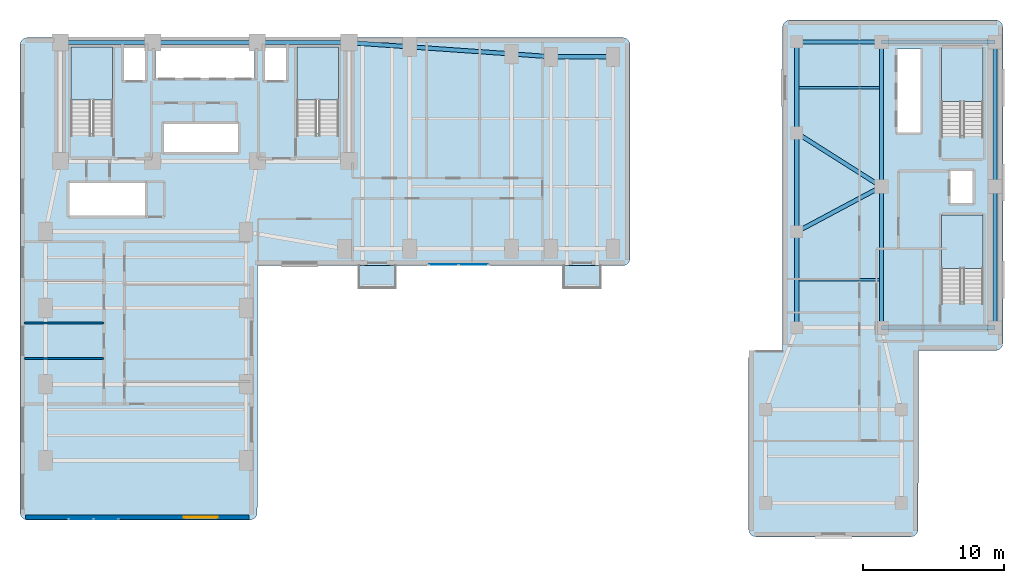
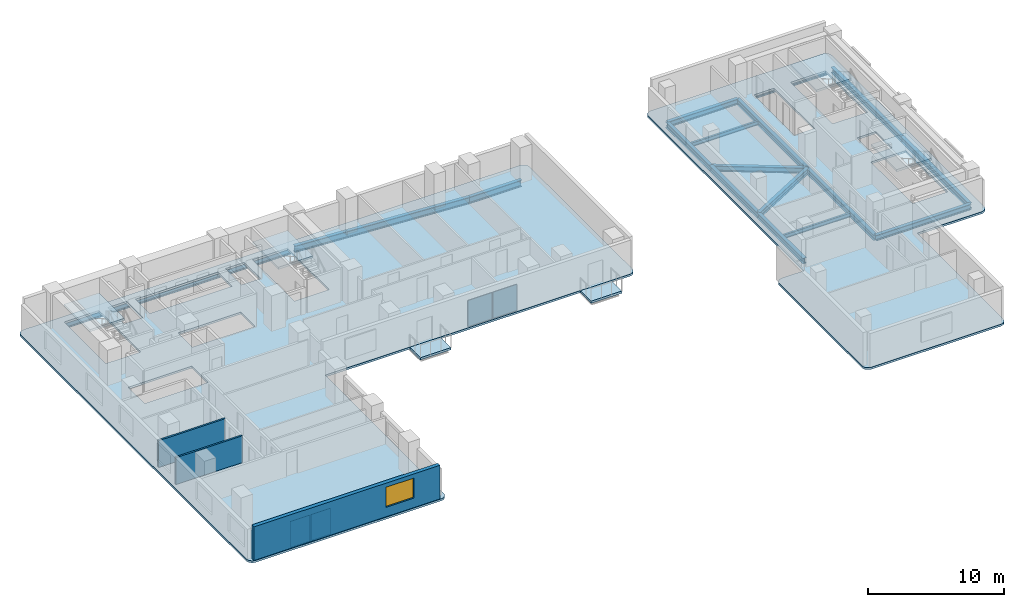
# One storey, part 7 of 14: 21 beams, 8 slabs, 4 plates, 3 walls, 1 window, 1 opening, 6 elements without a shape of their own.
"""IFC4 building model written with IfcOpenShell, lengths in metres."""

from ifc_helpers import new_model, si_unit, direction, frame, frame_2d, origin, origin_2d, place, context, subcontext, project, spatial, polyline, rectangle, i_section, outline, extrude, material, layer, layer_set, material_profile, profile_set, type_object, element, fill, aggregate, save


model = new_model("IFC4")

# Units and contexts
model_context = context("Model", 3, precision=1e-05, world=origin(), true_north=direction((0.0, 1.0)))
body_context = subcontext(model_context, "Body", "Model", "MODEL_VIEW")
ifc_project = project(units=[si_unit("LENGTHUNIT", "METRE"), si_unit("AREAUNIT", "SQUARE_METRE"), si_unit("VOLUMEUNIT", "CUBIC_METRE"), si_unit("PLANEANGLEUNIT", "RADIAN"), si_unit("MASSUNIT", "GRAM", prefix="KILO")], contexts=[model_context])

# Site, building, storey
site_placement = place(None, origin())
site = spatial("IfcSite", under=ifc_project, at=site_placement, CompositionType="ELEMENT")
building_placement = place(site_placement, origin())
building = spatial("IfcBuilding", under=site, at=building_placement, Name="Kuzgunbayir Cultural Tower", CompositionType="ELEMENT")
storey_placement = place(building_placement, frame((0.0, 0.0, 62.800048828125)))
storey = spatial("IfcBuildingStorey", under=building, at=storey_placement, Name="L17", CompositionType="ELEMENT", Elevation=62.800048828125)

# Beams
ifc_material_1 = material(Name="Steel S355J2", Category="steel")
ifc_material_profile_1 = material_profile(ifc_material_1, i_section(OverallWidth=0.300048828125, OverallDepth=0.5, WebThickness=0.014404296875, FlangeThickness=0.028076171875, FilletRadius=0.027099609375, at=origin_2d()), Name="HEB 500")
ifc_profile_set_1 = profile_set([ifc_material_profile_1], Name="Steel S355J2")
beam_type_1 = type_object("IfcBeamType", Name="BM-EXT-HEB500", PredefinedType="BEAM", material=ifc_profile_set_1)
beam_1_placement = place(storey_placement, frame((58.60009765625, 22.0, -0.429931640625), z_axis=(0.0, 1.0, 0.0), x_axis=(-1.0, 0.0, 0.0)))
element("IfcBeam", 1, at=beam_1_placement, inside=storey, type_object=beam_type_1, Name="L17 Companion West Girder", PredefinedType="BEAM", context=body_context, shape_type="SweptSolid", body=[
    extrude(i_section(OverallWidth=0.300048828125, OverallDepth=0.5, WebThickness=0.014404296875, FlangeThickness=0.028076171875, FilletRadius=0.027099609375, at=origin_2d()), origin(), (0.0, 0.0, 1.0), 6.800048828125),
])
beam_2_placement = place(storey_placement, frame((58.60009765625, 28.800048828125, -0.429931640625), z_axis=(0.0, 1.0, 0.0), x_axis=(-1.0, 0.0, 0.0)))
element("IfcBeam", 2, at=beam_2_placement, inside=storey, type_object=beam_type_1, Name="L17 Companion West Girder", PredefinedType="BEAM", context=body_context, shape_type="SweptSolid", body=[
    extrude(i_section(OverallWidth=0.300048828125, OverallDepth=0.5, WebThickness=0.014404296875, FlangeThickness=0.028076171875, FilletRadius=0.027099609375, at=origin_2d()), origin(), (0.0, 0.0, 1.0), 7.0),
])
beam_3_placement = place(storey_placement, frame((58.60009765625, 35.800048828125, -0.429931640625), z_axis=(0.0, 1.0, 0.0), x_axis=(-1.0, 0.0, 0.0)))
element("IfcBeam", 3, at=beam_3_placement, inside=storey, type_object=beam_type_1, Name="L17 Companion West Girder", PredefinedType="BEAM", context=body_context, shape_type="SweptSolid", body=[
    extrude(i_section(OverallWidth=0.300048828125, OverallDepth=0.5, WebThickness=0.014404296875, FlangeThickness=0.028076171875, FilletRadius=0.027099609375, at=origin_2d()), origin(), (0.0, 0.0, 1.0), 6.449951171875),
])
ifc_material_profile_2 = material_profile(ifc_material_1, i_section(OverallWidth=0.300048828125, OverallDepth=0.60009765625, WebThickness=0.015380859375, FlangeThickness=0.030029296875, FilletRadius=0.027099609375, at=origin_2d()), Name="HEB 600")
ifc_profile_set_2 = profile_set([ifc_material_profile_2], Name="Steel S355J2")
beam_type_2 = type_object("IfcBeamType", Name="BM-EXT-HEB600", PredefinedType="BEAM", material=ifc_profile_set_2)
beam_4_placement = place(storey_placement, frame((26.89990234375, 42.199951171875, -0.47998046875), z_axis=(0.997574369175, -0.069608749203, 0.0), x_axis=(0.069608749203, 0.997574369175, 0.0)))
element("IfcBeam", 4, at=beam_4_placement, inside=storey, type_object=beam_type_2, Name="L17 Wing B North Girder 1", PredefinedType="BEAM", context=body_context, shape_type="SweptSolid", body=[
    extrude(i_section(OverallWidth=0.300048828125, OverallDepth=0.60009765625, WebThickness=0.015380859375, FlangeThickness=0.030029296875, FilletRadius=0.027099609375, at=origin_2d()), origin(), (0.0, 0.0, 1.0), 4.310546875),
])
beam_5_placement = place(storey_placement, frame((31.199951171875, 41.89990234375, -0.47998046875), z_axis=(0.997597388498, -0.069278066245, 0.0), x_axis=(0.069278066245, 0.997597388498, 0.0)))
element("IfcBeam", 5, at=beam_5_placement, inside=storey, type_object=beam_type_2, Name="L17 Wing B North Girder 2", PredefinedType="BEAM", context=body_context, shape_type="SweptSolid", body=[
    extrude(i_section(OverallWidth=0.300048828125, OverallDepth=0.60009765625, WebThickness=0.015380859375, FlangeThickness=0.030029296875, FilletRadius=0.027099609375, at=origin_2d()), origin(), (0.0, 0.0, 1.0), 7.21728515625),
])
beam_6_placement = place(storey_placement, frame((38.39990234375, 41.39990234375, -0.47998046875), z_axis=(0.997460024076, -0.071228508128, 0.0), x_axis=(0.071228508128, 0.997460024076, 0.0)))
element("IfcBeam", 6, at=beam_6_placement, inside=storey, type_object=beam_type_2, Name="L17 Wing B North Girder 3", PredefinedType="BEAM", context=body_context, shape_type="SweptSolid", body=[
    extrude(i_section(OverallWidth=0.300048828125, OverallDepth=0.60009765625, WebThickness=0.015380859375, FlangeThickness=0.030029296875, FilletRadius=0.027099609375, at=origin_2d()), origin(), (0.0, 0.0, 1.0), 2.80712890625),
])
beam_7_placement = place(storey_placement, frame((41.199951171875, 41.199951171875, -0.47998046875), z_axis=(1.0, 0.0, 0.0), x_axis=(0.0, 1.0, 0.0)))
element("IfcBeam", 7, at=beam_7_placement, inside=storey, type_object=beam_type_2, Name="L17 Wing B North Girder 4", PredefinedType="BEAM", context=body_context, shape_type="SweptSolid", body=[
    extrude(i_section(OverallWidth=0.300048828125, OverallDepth=0.60009765625, WebThickness=0.015380859375, FlangeThickness=0.030029296875, FilletRadius=0.027099609375, at=origin_2d()), origin(), (0.0, 0.0, 1.0), 4.400146484375),
])
ifc_material_profile_3 = material_profile(ifc_material_1, i_section(OverallWidth=0.300048828125, OverallDepth=0.5, WebThickness=0.014404296875, FlangeThickness=0.028076171875, FilletRadius=0.027099609375, at=origin_2d()), Name="HEB 500")
ifc_profile_set_3 = profile_set([ifc_material_profile_3], Name="Steel S355J2")
beam_type_3 = type_object("IfcBeamType", Name="BM-GIR-HEB500", PredefinedType="BEAM", material=ifc_profile_set_3)
beam_8_placement = place(storey_placement, frame((58.60009765625, 28.800048828125, -0.429931640625), z_axis=(0.882355922736, 0.470582644828, 0.0), x_axis=(-0.470582644828, 0.882355922736, 0.0)))
element("IfcBeam", 8, at=beam_8_placement, inside=storey, type_object=beam_type_3, Name="L17 Companion Transverse Girder 2", PredefinedType="BEAM", context=body_context, shape_type="SweptSolid", body=[
    extrude(i_section(OverallWidth=0.300048828125, OverallDepth=0.5, WebThickness=0.014404296875, FlangeThickness=0.028076171875, FilletRadius=0.027099609375, at=origin_2d()), origin(), (0.0, 0.0, 1.0), 6.800048828125),
])
beam_9_placement = place(storey_placement, frame((58.60009765625, 35.800048828125, -0.429931640625), z_axis=(0.844815967829, -0.535056988088, 0.0), x_axis=(0.535056988088, 0.844815967829, 0.0)))
element("IfcBeam", 9, at=beam_9_placement, inside=storey, type_object=beam_type_3, Name="L17 Companion Transverse Girder 3", PredefinedType="BEAM", context=body_context, shape_type="SweptSolid", body=[
    extrude(i_section(OverallWidth=0.300048828125, OverallDepth=0.5, WebThickness=0.014404296875, FlangeThickness=0.028076171875, FilletRadius=0.027099609375, at=origin_2d()), origin(), (0.0, 0.0, 1.0), 7.10205078125),
])
beam_10_placement = place(storey_placement, frame((58.60009765625, 42.25, -0.429931640625), z_axis=(1.0, 0.0, 0.0), x_axis=(0.0, 1.0, 0.0)))
element("IfcBeam", 10, at=beam_10_placement, inside=storey, type_object=beam_type_3, Name="L17 Companion Transverse Girder 4", PredefinedType="BEAM", context=body_context, shape_type="SweptSolid", body=[
    extrude(i_section(OverallWidth=0.300048828125, OverallDepth=0.5, WebThickness=0.014404296875, FlangeThickness=0.028076171875, FilletRadius=0.027099609375, at=origin_2d()), origin(), (0.0, 0.0, 1.0), 6.0),
])
beam_11_placement = place(storey_placement, frame((64.60009765625, 22.0, -0.429931640625), z_axis=(0.0, 1.0, 0.0), x_axis=(-1.0, 0.0, 0.0)))
element("IfcBeam", 11, at=beam_11_placement, inside=storey, type_object=beam_type_3, Name="L17 Companion Core West Girder 1", PredefinedType="BEAM", context=body_context, shape_type="SweptSolid", body=[
    extrude(i_section(OverallWidth=0.300048828125, OverallDepth=0.5, WebThickness=0.014404296875, FlangeThickness=0.028076171875, FilletRadius=0.027099609375, at=origin_2d()), origin(), (0.0, 0.0, 1.0), 10.0),
])
beam_12_placement = place(storey_placement, frame((64.60009765625, 32.0, -0.429931640625), z_axis=(0.0, 1.0, 0.0), x_axis=(-1.0, 0.0, 0.0)))
element("IfcBeam", 12, at=beam_12_placement, inside=storey, type_object=beam_type_3, Name="L17 Companion Core West Girder 2", PredefinedType="BEAM", context=body_context, shape_type="SweptSolid", body=[
    extrude(i_section(OverallWidth=0.300048828125, OverallDepth=0.5, WebThickness=0.014404296875, FlangeThickness=0.028076171875, FilletRadius=0.027099609375, at=origin_2d()), origin(), (0.0, 0.0, 1.0), 10.25),
])
beam_13_placement = place(storey_placement, frame((72.64990234375, 22.0, -0.429931640625), z_axis=(0.0, 1.0, 0.0), x_axis=(-1.0, 0.0, 0.0)))
element("IfcBeam", 13, at=beam_13_placement, inside=storey, type_object=beam_type_3, Name="L17 Companion Core East Girder 1", PredefinedType="BEAM", context=body_context, shape_type="SweptSolid", body=[
    extrude(i_section(OverallWidth=0.300048828125, OverallDepth=0.5, WebThickness=0.014404296875, FlangeThickness=0.028076171875, FilletRadius=0.027099609375, at=origin_2d()), origin(), (0.0, 0.0, 1.0), 10.0),
])
beam_14_placement = place(storey_placement, frame((72.64990234375, 32.0, -0.429931640625), z_axis=(0.0, 1.0, 0.0), x_axis=(-1.0, 0.0, 0.0)))
element("IfcBeam", 14, at=beam_14_placement, inside=storey, type_object=beam_type_3, Name="L17 Companion Core East Girder 2", PredefinedType="BEAM", context=body_context, shape_type="SweptSolid", body=[
    extrude(i_section(OverallWidth=0.300048828125, OverallDepth=0.5, WebThickness=0.014404296875, FlangeThickness=0.028076171875, FilletRadius=0.027099609375, at=origin_2d()), origin(), (0.0, 0.0, 1.0), 10.25),
])
for number, where, z_axis, x_axis, name in (
    (15, (64.60009765625, 22.0, -0.429931640625), (1.0, 0.0, 0.0), (0.0, 1.0, 0.0), "L17 Companion Core South Girder"),
    (16, (64.60009765625, 42.25, -0.429931640625), (1.0, 0.0, 0.0), (0.0, 1.0, 0.0), "L17 Companion Core North Girder"),
):
    element("IfcBeam", number, at=place(storey_placement, frame(where, z_axis=z_axis, x_axis=x_axis)), inside=storey, type_object=beam_type_3, Name=name, PredefinedType="BEAM", context=body_context, shape_type="SweptSolid", body=[
        extrude(i_section(OverallWidth=0.300048828125, OverallDepth=0.5, WebThickness=0.014404296875, FlangeThickness=0.028076171875, FilletRadius=0.027099609375, at=origin_2d()), origin(), (0.0, 0.0, 1.0), 8.0498046875),
    ])
ifc_material_profile_4 = material_profile(ifc_material_1, i_section(OverallWidth=0.300048828125, OverallDepth=0.60009765625, WebThickness=0.015380859375, FlangeThickness=0.030029296875, FilletRadius=0.027099609375, at=origin_2d()), Name="HEB 600")
ifc_profile_set_4 = profile_set([ifc_material_profile_4], Name="Steel S355J2")
beam_type_4 = type_object("IfcBeamType", Name="BM-GIR-HEB600", PredefinedType="BEAM", material=ifc_profile_set_4)
beam_15_placement = place(storey_placement, frame((6.449951171875, 42.199951171875, -0.47998046875), z_axis=(1.0, 0.0, 0.0), x_axis=(0.0, 1.0, 0.0)))
element("IfcBeam", 17, at=beam_15_placement, inside=storey, type_object=beam_type_4, Name="L17 Core North Girder 1", PredefinedType="BEAM", context=body_context, shape_type="SweptSolid", body=[
    extrude(i_section(OverallWidth=0.300048828125, OverallDepth=0.60009765625, WebThickness=0.015380859375, FlangeThickness=0.030029296875, FilletRadius=0.027099609375, at=origin_2d()), origin(), (0.0, 0.0, 1.0), 6.550048828125),
])
beam_16_placement = place(storey_placement, frame((13.0, 42.199951171875, -0.47998046875), z_axis=(1.0, 0.0, 0.0), x_axis=(0.0, 1.0, 0.0)))
element("IfcBeam", 18, at=beam_16_placement, inside=storey, type_object=beam_type_4, Name="L17 Core North Girder 2", PredefinedType="BEAM", context=body_context, shape_type="SweptSolid", body=[
    extrude(i_section(OverallWidth=0.300048828125, OverallDepth=0.60009765625, WebThickness=0.015380859375, FlangeThickness=0.030029296875, FilletRadius=0.027099609375, at=origin_2d()), origin(), (0.0, 0.0, 1.0), 7.39990234375),
])
beam_17_placement = place(storey_placement, frame((20.39990234375, 42.199951171875, -0.47998046875), z_axis=(1.0, 0.0, 0.0), x_axis=(0.0, 1.0, 0.0)))
element("IfcBeam", 19, at=beam_17_placement, inside=storey, type_object=beam_type_4, Name="L17 Core North Girder 3", PredefinedType="BEAM", context=body_context, shape_type="SweptSolid", body=[
    extrude(i_section(OverallWidth=0.300048828125, OverallDepth=0.60009765625, WebThickness=0.015380859375, FlangeThickness=0.030029296875, FilletRadius=0.027099609375, at=origin_2d()), origin(), (0.0, 0.0, 1.0), 6.5),
])
ifc_material_profile_5 = material_profile(ifc_material_1, i_section(OverallWidth=0.169921875, OverallDepth=0.360107421875, WebThickness=0.008056640625, FlangeThickness=0.0126953125, FilletRadius=0.01806640625, at=origin_2d()), Name="IPE 360")
ifc_profile_set_5 = profile_set([ifc_material_profile_5], Name="Steel S355J2")
beam_type_5 = type_object("IfcBeamType", Name="BM-JST-IPE360", PredefinedType="JOIST", material=ifc_profile_set_5)
for number, where, z_axis, x_axis, name in (
    (20, (58.75, 25.39990234375, -0.360107421875), (1.0, 0.0, 0.0), (0.0, 1.0, 0.0), "L17 Companion Joist"),
    (21, (58.75, 39.0, -0.360107421875), (1.0, 0.0, 0.0), (0.0, 1.0, 0.0), "L17 Companion Joist"),
):
    element("IfcBeam", number, at=place(storey_placement, frame(where, z_axis=z_axis, x_axis=x_axis)), inside=storey, type_object=beam_type_5, Name=name, PredefinedType="JOIST", context=body_context, shape_type="SweptSolid", body=[
        extrude(i_section(OverallWidth=0.169921875, OverallDepth=0.360107421875, WebThickness=0.008056640625, FlangeThickness=0.0126953125, FilletRadius=0.01806640625, at=origin_2d()), origin(), (0.0, 0.0, 1.0), 5.699951171875),
    ])

# Curtain wall, plates
ifc_material_2 = material(Name="Anodised Aluminium Framing", Category="aluminium")
curtain_wall_type = type_object("IfcCurtainWallType", Name="CW03-T1-OFFICE", PredefinedType="NOTDEFINED", material=ifc_material_2)
curtain_wall_1_placement = place(storey_placement, origin())
curtain_wall_1 = element("IfcCurtainWall", 22, at=curtain_wall_1_placement, inside=storey, type_object=curtain_wall_type, Name="L17 Wing A South Feature Curtain Wall", PredefinedType="NOTDEFINED")
ifc_material_3 = material(Name="Solar-Control Triple Glazing", Category="glass")
ifc_layer_1 = layer(ifc_material_3, 0.035888671875)
ifc_layer_set_1 = layer_set([ifc_layer_1], Name="Solar-Control Triple Glazing")
plate_type = type_object("IfcPlateType", Name="PLT-CW-GLASS-36", PredefinedType="CURTAIN_PANEL", material=ifc_layer_set_1)
plate_1_placement = place(storey_placement, frame((7.918701171875, 8.47998046875, 0.059814453125), z_axis=(0.0, 0.0, 1.0), x_axis=(1.0, 0.0, 0.0)))
plate_1 = element("IfcPlate", 23, at=plate_1_placement, type_object=plate_type, Name="CW03 panel 1.1", PredefinedType="CURTAIN_PANEL", context=body_context, shape_type="SweptSolid", body=[
    extrude(rectangle(XDim=1.6875, YDim=0.035888671875, at=origin_2d()), origin(), (0.0, 0.0, 1.0), 2.35009765625),
])
plate_2_placement = place(storey_placement, frame((9.68115234375, 8.47998046875, 0.059814453125), z_axis=(0.0, 0.0, 1.0), x_axis=(1.0, 0.0, 0.0)))
plate_2 = element("IfcPlate", 24, at=plate_2_placement, type_object=plate_type, Name="CW03 panel 2.1", PredefinedType="CURTAIN_PANEL", context=body_context, shape_type="SweptSolid", body=[
    extrude(rectangle(XDim=1.6875, YDim=0.035888671875, at=origin_2d()), origin(), (0.0, 0.0, 1.0), 2.35009765625),
])
aggregate(curtain_wall_1, [plate_1, plate_2])

curtain_wall_2_placement = place(storey_placement, origin())
curtain_wall_2 = element("IfcCurtainWall", 25, at=curtain_wall_2_placement, inside=storey, type_object=curtain_wall_type, Name="L17 Wing B South Feature Curtain Wall", PredefinedType="NOTDEFINED")
plate_3_placement = place(storey_placement, frame((33.59375, 26.47998046875, 0.059814453125), z_axis=(0.0, 0.0, 1.0), x_axis=(1.0, 0.0, 0.0)))
plate_3 = element("IfcPlate", 26, at=plate_3_placement, type_object=plate_type, Name="CW03 panel 1.1", PredefinedType="CURTAIN_PANEL", context=body_context, shape_type="SweptSolid", body=[
    extrude(rectangle(XDim=2.03759765625, YDim=0.035888671875, at=origin_2d()), origin(), (0.0, 0.0, 1.0), 2.35009765625),
])
plate_4_placement = place(storey_placement, frame((35.706298828125, 26.47998046875, 0.059814453125), z_axis=(0.0, 0.0, 1.0), x_axis=(1.0, 0.0, 0.0)))
plate_4 = element("IfcPlate", 27, at=plate_4_placement, type_object=plate_type, Name="CW03 panel 2.1", PredefinedType="CURTAIN_PANEL", context=body_context, shape_type="SweptSolid", body=[
    extrude(rectangle(XDim=2.03759765625, YDim=0.035888671875, at=origin_2d()), origin(), (0.0, 0.0, 1.0), 2.35009765625),
])
aggregate(curtain_wall_2, [plate_3, plate_4])

# Slabs
ifc_material_4 = material(Name="Concrete C40/50", Category="concrete")
ifc_layer_2 = layer(ifc_material_4, 0.199951171875)
ifc_layer_set_2 = layer_set([ifc_layer_2], Name="Concrete C40/50")
slab_type_1 = type_object("IfcSlabType", Name="SLB-BAL-STONE", PredefinedType="FLOOR", material=ifc_layer_set_2)
slab_1_placement = place(storey_placement, frame((0.0, 0.0, -0.199951171875)))
element("IfcSlab", 28, at=slab_1_placement, inside=storey, type_object=slab_type_1, Name="L17 Projecting Limestone Balcony BAL-L17-WB1", PredefinedType="FLOOR", context=body_context, shape_type="SweptSolid", body=[
    extrude(outline(polyline([(27.60009765625, 24.840087890625), (30.199951171875, 24.840087890625), (30.199951171875, 26.39990234375), (27.60009765625, 26.39990234375), (27.60009765625, 24.840087890625)])), origin(), (0.0, 0.0, 1.0), 0.199951171875),
])
slab_2_placement = place(storey_placement, frame((0.0, 0.0, -0.199951171875)))
element("IfcSlab", 29, at=slab_2_placement, inside=storey, type_object=slab_type_1, Name="L17 Projecting Limestone Balcony BAL-L17-WB3", PredefinedType="FLOOR", context=body_context, shape_type="SweptSolid", body=[
    extrude(outline(polyline([(42.10009765625, 24.840087890625), (44.699951171875, 24.840087890625), (44.699951171875, 26.39990234375), (42.10009765625, 26.39990234375), (42.10009765625, 24.840087890625)])), origin(), (0.0, 0.0, 1.0), 0.199951171875),
])

# Stair, slab
stair_type = type_object("IfcStairType", Name="STR-EXIT-CORE", PredefinedType="HALF_TURN_STAIR", material=ifc_material_4)
stair_1_placement = place(storey_placement, origin())
stair_1 = element("IfcStair", 30, at=stair_1_placement, inside=storey, type_object=stair_type, Name="L17 ST-1", PredefinedType="HALF_TURN_STAIR")
ifc_layer_3 = layer(ifc_material_4, 0.179931640625)
ifc_layer_set_3 = layer_set([ifc_layer_3], Name="Concrete C40/50")
slab_type_2 = type_object("IfcSlabType", Name="SLB-LANDING-180", PredefinedType="LANDING", material=ifc_layer_set_3)
slab_3_placement = place(storey_placement, frame((0.0, 0.0, 1.39990234375)))
slab_3 = element("IfcSlab", 31, at=slab_3_placement, type_object=slab_type_2, Name="ST-1 landing 1", PredefinedType="LANDING", context=body_context, shape_type="SweptSolid", body=[
    extrude(outline(polyline([(10.159912109375, 38.1201171875), (10.159912109375, 41.89990234375), (7.199951171875, 41.89990234375), (7.199951171875, 38.1201171875), (10.159912109375, 38.1201171875)])), origin(), (0.0, 0.0, 1.0), 0.199951171875),
])
aggregate(stair_1, [slab_3])

stair_2_placement = place(storey_placement, origin())
stair_2 = element("IfcStair", 32, at=stair_2_placement, inside=storey, type_object=stair_type, Name="L17 ST-2", PredefinedType="HALF_TURN_STAIR")
slab_4_placement = place(storey_placement, frame((0.0, 0.0, 1.39990234375)))
slab_4 = element("IfcSlab", 33, at=slab_4_placement, type_object=slab_type_2, Name="ST-2 landing 1", PredefinedType="LANDING", context=body_context, shape_type="SweptSolid", body=[
    extrude(outline(polyline([(26.159912109375, 38.1201171875), (26.159912109375, 41.89990234375), (23.199951171875, 41.89990234375), (23.199951171875, 38.1201171875), (26.159912109375, 38.1201171875)])), origin(), (0.0, 0.0, 1.0), 0.199951171875),
])
aggregate(stair_2, [slab_4])

stair_3_placement = place(storey_placement, origin())
stair_3 = element("IfcStair", 34, at=stair_3_placement, inside=storey, type_object=stair_type, Name="L17 ST-3", PredefinedType="HALF_TURN_STAIR")
slab_5_placement = place(storey_placement, frame((0.0, 0.0, 1.39990234375)))
slab_5 = element("IfcSlab", 35, at=slab_5_placement, type_object=slab_type_2, Name="ST-3 landing 1", PredefinedType="LANDING", context=body_context, shape_type="SweptSolid", body=[
    extrude(outline(polyline([(71.800048828125, 26.219970703125), (71.800048828125, 30.0), (68.840087890625, 30.0), (68.840087890625, 26.219970703125), (71.800048828125, 26.219970703125)])), origin(), (0.0, 0.0, 1.0), 0.199951171875),
])
aggregate(stair_3, [slab_5])

stair_4_placement = place(storey_placement, origin())
stair_4 = element("IfcStair", 36, at=stair_4_placement, inside=storey, type_object=stair_type, Name="L17 ST-4", PredefinedType="HALF_TURN_STAIR")
slab_6_placement = place(storey_placement, frame((0.0, 0.0, 1.39990234375)))
slab_6 = element("IfcSlab", 37, at=slab_6_placement, type_object=slab_type_2, Name="ST-4 landing 1", PredefinedType="LANDING", context=body_context, shape_type="SweptSolid", body=[
    extrude(outline(polyline([(71.800048828125, 38.02001953125), (71.800048828125, 41.800048828125), (68.840087890625, 41.800048828125), (68.840087890625, 38.02001953125), (71.800048828125, 38.02001953125)])), origin(), (0.0, 0.0, 1.0), 0.199951171875),
])
aggregate(stair_4, [slab_6])

# Slabs
ifc_layer_4 = layer(ifc_material_4, 0.179931640625)
ifc_layer_set_4 = layer_set([ifc_layer_4], Name="Concrete C40/50")
slab_type_3 = type_object("IfcSlabType", Name="SLB-TYP-180", PredefinedType="FLOOR", material=ifc_layer_set_4)
slab_7_placement = place(storey_placement, frame((0.0, 0.0, -0.179931640625)))
element("IfcSlab", 38, at=slab_7_placement, inside=storey, type_object=slab_type_3, Name="L17 Tower 1 Floor Slab T1-MAIN", PredefinedType="FLOOR", context=body_context, shape_type="SweptSolid", body=[
    extrude(outline(polyline([(20.39990234375, 8.949951171875), (20.389892578125, 8.840087890625), (20.360107421875, 8.739990234375), (20.31005859375, 8.639892578125), (20.239990234375, 8.56005859375), (20.159912109375, 8.489990234375), (20.06005859375, 8.43994140625), (19.9599609375, 8.409912109375), (19.85009765625, 8.39990234375), (4.14990234375, 8.39990234375), (4.0400390625, 8.409912109375), (3.93994140625, 8.43994140625), (3.840087890625, 8.489990234375), (3.760009765625, 8.56005859375), (3.68994140625, 8.639892578125), (3.639892578125, 8.739990234375), (3.610107421875, 8.840087890625), (3.60009765625, 8.949951171875), (3.60009765625, 42.0), (3.610107421875, 42.110107421875), (3.639892578125, 42.2099609375), (3.68994140625, 42.31005859375), (3.760009765625, 42.389892578125), (3.840087890625, 42.4599609375), (3.93994140625, 42.510009765625), (4.0400390625, 42.5400390625), (4.14990234375, 42.550048828125), (46.25, 42.550048828125), (46.360107421875, 42.5400390625), (46.4599609375, 42.510009765625), (46.56005859375, 42.4599609375), (46.639892578125, 42.389892578125), (46.7099609375, 42.31005859375), (46.760009765625, 42.2099609375), (46.7900390625, 42.110107421875), (46.800048828125, 42.0), (46.800048828125, 26.949951171875), (46.7900390625, 26.840087890625), (46.760009765625, 26.739990234375), (46.7099609375, 26.639892578125), (46.639892578125, 26.56005859375), (46.56005859375, 26.489990234375), (46.4599609375, 26.43994140625), (46.360107421875, 26.409912109375), (46.25, 26.39990234375), (20.429931640625, 26.39990234375), (20.39990234375, 8.949951171875)]), holes=[polyline([(7.199951171875, 35.760009765625), (7.199951171875, 41.89990234375), (10.159912109375, 41.89990234375), (10.159912109375, 35.760009765625), (7.199951171875, 35.760009765625)]), polyline([(23.199951171875, 35.760009765625), (23.199951171875, 41.89990234375), (26.159912109375, 41.89990234375), (26.159912109375, 35.760009765625), (23.199951171875, 35.760009765625)]), polyline([(13.199951171875, 39.699951171875), (13.199951171875, 41.800048828125), (20.199951171875, 41.800048828125), (20.199951171875, 39.699951171875), (13.199951171875, 39.699951171875)]), polyline([(13.75, 34.39990234375), (13.75, 36.5), (19.080078125, 36.5), (19.080078125, 34.39990234375), (13.75, 34.39990234375)]), polyline([(7.10009765625, 29.89990234375), (7.10009765625, 32.300048828125), (12.5, 32.300048828125), (12.5, 29.89990234375), (7.10009765625, 29.89990234375)]), polyline([(10.89990234375, 39.5), (10.89990234375, 41.89990234375), (12.5, 41.89990234375), (12.5, 39.5), (10.89990234375, 39.5)]), polyline([(20.89990234375, 39.5), (20.89990234375, 41.89990234375), (22.5, 41.89990234375), (22.5, 39.5), (20.89990234375, 39.5)])]), origin(), (0.0, 0.0, 1.0), 0.179931640625),
])
slab_8_placement = place(storey_placement, frame((0.0, 0.0, -0.179931640625)))
element("IfcSlab", 39, at=slab_8_placement, inside=storey, type_object=slab_type_3, Name="L17 Companion Tower 2 Floor Slab", PredefinedType="FLOOR", context=body_context, shape_type="SweptSolid", body=[
    extrude(outline(polyline([(57.60009765625, 20.39990234375), (57.60009765625, 43.25), (57.610107421875, 43.360107421875), (57.639892578125, 43.4599609375), (57.68994140625, 43.56005859375), (57.760009765625, 43.639892578125), (57.840087890625, 43.7099609375), (57.93994140625, 43.760009765625), (58.0400390625, 43.7900390625), (58.14990234375, 43.800048828125), (72.64990234375, 43.800048828125), (72.760009765625, 43.7900390625), (72.860107421875, 43.760009765625), (72.9599609375, 43.7099609375), (73.0400390625, 43.639892578125), (73.110107421875, 43.56005859375), (73.159912109375, 43.4599609375), (73.18994140625, 43.360107421875), (73.199951171875, 43.25), (73.199951171875, 20.949951171875), (73.18994140625, 20.840087890625), (73.159912109375, 20.739990234375), (73.110107421875, 20.639892578125), (73.0400390625, 20.56005859375), (72.9599609375, 20.489990234375), (72.860107421875, 20.43994140625), (72.760009765625, 20.409912109375), (72.64990234375, 20.39990234375), (67.22998046875, 20.39990234375), (67.199951171875, 7.75), (67.18994140625, 7.639892578125), (67.159912109375, 7.5400390625), (67.110107421875, 7.43994140625), (67.0400390625, 7.360107421875), (66.9599609375, 7.2900390625), (66.860107421875, 7.239990234375), (66.760009765625, 7.2099609375), (66.64990234375, 7.199951171875), (55.75, 7.199951171875), (55.639892578125, 7.2099609375), (55.5400390625, 7.239990234375), (55.43994140625, 7.2900390625), (55.360107421875, 7.360107421875), (55.2900390625, 7.43994140625), (55.239990234375, 7.5400390625), (55.2099609375, 7.639892578125), (55.199951171875, 7.75), (55.199951171875, 19.85009765625), (55.2099609375, 19.9599609375), (55.239990234375, 20.06005859375), (55.2900390625, 20.159912109375), (55.360107421875, 20.239990234375), (55.43994140625, 20.31005859375), (55.5400390625, 20.360107421875), (55.639892578125, 20.389892578125), (55.75, 20.39990234375), (57.570068359375, 20.39990234375), (57.60009765625, 20.39990234375)]), holes=[polyline([(68.840087890625, 23.860107421875), (68.840087890625, 30.0), (71.800048828125, 30.0), (71.800048828125, 23.860107421875), (68.840087890625, 23.860107421875)]), polyline([(68.840087890625, 35.659912109375), (68.840087890625, 41.800048828125), (71.800048828125, 41.800048828125), (71.800048828125, 35.659912109375), (68.840087890625, 35.659912109375)]), polyline([(65.699951171875, 35.800048828125), (65.699951171875, 41.75), (67.39990234375, 41.75), (67.39990234375, 35.800048828125), (65.699951171875, 35.800048828125)]), polyline([(69.5, 30.800048828125), (69.5, 33.199951171875), (71.10009765625, 33.199951171875), (71.10009765625, 30.800048828125), (69.5, 30.800048828125)])]), origin(), (0.0, 0.0, 1.0), 0.179931640625),
])

# Wall, opening, window
ifc_material_5 = material(Name="Travertine Buff Ashlar", Category="masonry")
ifc_layer_5 = layer(ifc_material_5, 0.320068359375)
ifc_layer_set_5 = layer_set([ifc_layer_5], Name="Travertine Buff Ashlar")
wall_type_1 = type_object("IfcWallType", Name="WAL-EXT-STONE-320", PredefinedType="STANDARD", material=ifc_layer_set_5)
wall_placement = place(storey_placement, frame((4.0, 8.60009765625, 0.0), z_axis=(0.0, 0.0, 1.0), x_axis=(1.0, 0.0, 0.0)))
wall = element("IfcWall", 40, at=wall_placement, inside=storey, type_object=wall_type_1, Name="L17 Wing A South Limestone Wall", PredefinedType="STANDARD", context=body_context, shape_type="SweptSolid", body=[
    extrude(rectangle(XDim=15.800048828125, YDim=0.320068359375, at=frame_2d((7.89990234375, 0.0))), origin(), (0.0, 0.0, 1.0), 3.02001953125),
])
opening_placement = place(wall_placement, frame((11.199951171875, 0.0, 0.85009765625)))
opening = element("IfcOpeningElement", 41, at=opening_placement, cuts=wall, Name="Opening WO-24", PredefinedType="OPENING", context=body_context, shape_type="SweptSolid", body=[
    extrude(rectangle(XDim=2.39990234375, YDim=1.800048828125, at=frame_2d((1.199951171875, 0.89990234375))), frame((0.0, 0.169921875, 0.0), z_axis=(0.0, -1.0, 0.0), x_axis=(1.0, 0.0, 0.0)), (0.0, 0.0, 1.0), 0.340087890625),
])
window_type = type_object("IfcWindowType", Name="WIN-OFFICE-24", PartitioningType="SINGLE_PANEL", PredefinedType="WINDOW", material=ifc_material_3)
window_placement = place(opening_placement, origin())
window = element("IfcWindow", 42, at=window_placement, inside=storey, type_object=window_type, Name="L17 WAS Facade Window 9", OverallHeight=1.800048828125, OverallWidth=2.39990234375, PartitioningType="SINGLE_PANEL", PredefinedType="WINDOW", context=body_context, shape_type="SweptSolid", body=[
    extrude(rectangle(XDim=2.39990234375, YDim=1.800048828125, at=frame_2d((1.199951171875, 0.89990234375))), frame((0.0, 0.030029296875, 0.0), z_axis=(0.0, -1.0, 0.0), x_axis=(1.0, 0.0, 0.0)), (0.0, 0.0, 1.0), 0.06005859375),
])
fill(opening, window)

# Walls
ifc_material_6 = material(Name="Acoustic Double-Stud Drywall", Category="gypsum")
ifc_layer_6 = layer(ifc_material_6, 0.14990234375)
ifc_layer_set_6 = layer_set([ifc_layer_6], Name="Acoustic Double-Stud Drywall")
wall_type_2 = type_object("IfcWallType", Name="WAL-PART-ACOUSTIC-150", PredefinedType="PARTITIONING", material=ifc_layer_set_6)
for number, where, z_axis, x_axis, name in (
    (43, (3.89990234375, 19.820068359375, 0.0), (0.0, 0.0, 1.0), (1.0, 0.0, 0.0), "L17 West Suite Partition 1"),
    (44, (3.89990234375, 22.35009765625, 0.0), (0.0, 0.0, 1.0), (1.0, 0.0, 0.0), "L17 West Suite Partition 2"),
):
    element("IfcWall", number, at=place(storey_placement, frame(where, z_axis=z_axis, x_axis=x_axis)), inside=storey, type_object=wall_type_2, Name=name, PredefinedType="PARTITIONING", context=body_context, shape_type="SweptSolid", body=[
        extrude(rectangle(XDim=5.650146484375, YDim=0.14990234375, at=frame_2d((2.8251953125, 0.0))), origin(), (0.0, 0.0, 1.0), 2.39990234375),
    ])

save(model, "model.ifc")
